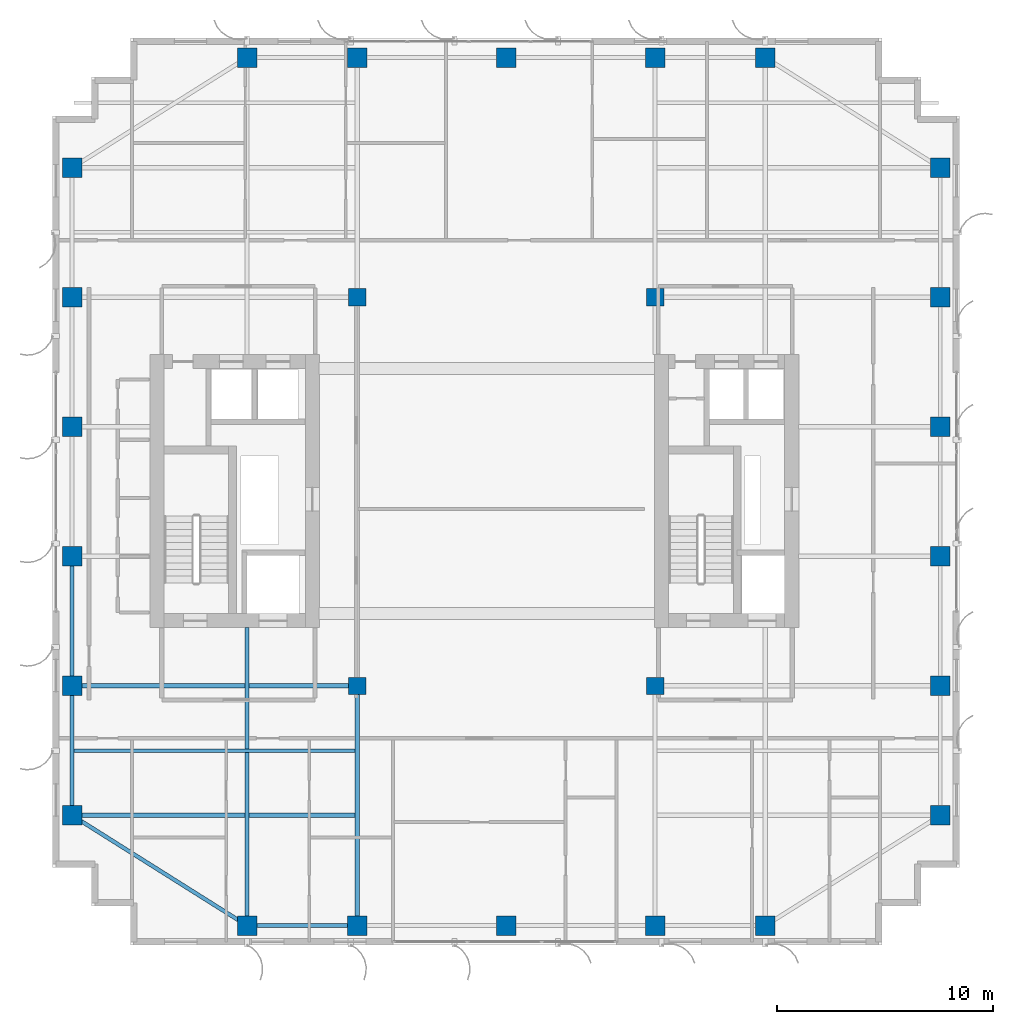
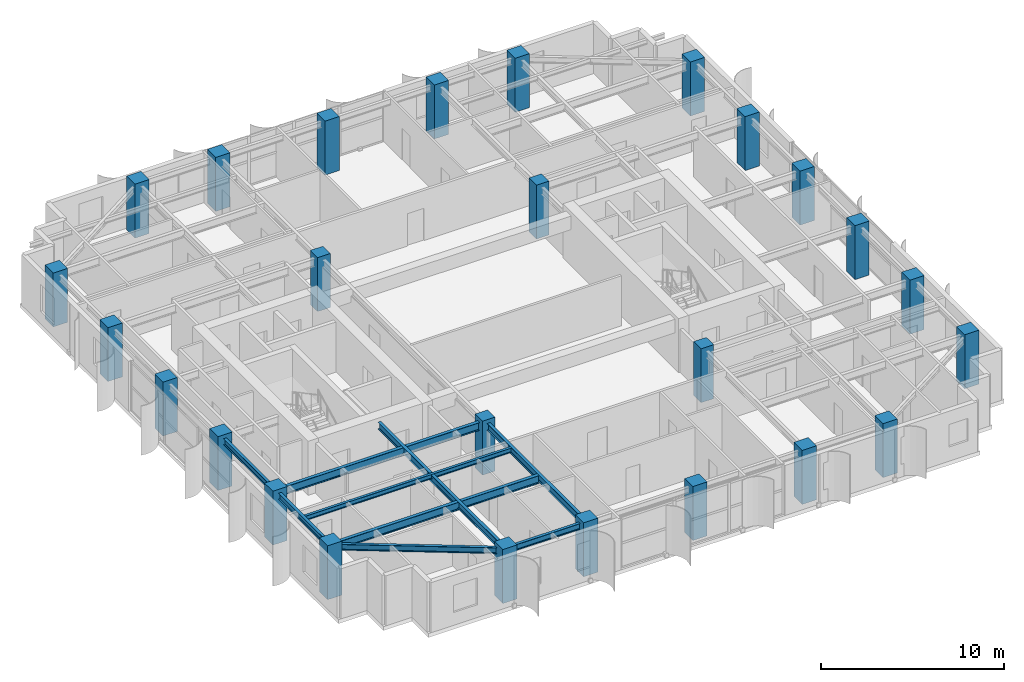
# One storey, part 1 of 22: 26 columns, 9 beams.
"""IFC4 building model written with IfcOpenShell, lengths in metres."""

from ifc_helpers import new_model, si_unit, direction, frame, origin, origin_2d, place, context, subcontext, project, spatial, rectangle, i_section, extrude, source, transform, mapped, material, material_profile, profile_set, type_object, element, save


model = new_model("IFC4")

# Units and contexts
model_context = context("Model", 3, precision=1e-05, world=origin(), true_north=direction((0.0, 1.0)))
body_context = subcontext(model_context, "Body", "Model", "MODEL_VIEW")
ifc_project = project(units=[si_unit("LENGTHUNIT", "METRE"), si_unit("AREAUNIT", "SQUARE_METRE"), si_unit("VOLUMEUNIT", "CUBIC_METRE"), si_unit("PLANEANGLEUNIT", "RADIAN"), si_unit("MASSUNIT", "GRAM", prefix="KILO")], contexts=[model_context])

# Site, building, storey
site_placement = place(None, origin())
site = spatial("IfcSite", under=ifc_project, at=site_placement, CompositionType="ELEMENT")
building_placement = place(site_placement, origin())
building = spatial("IfcBuilding", under=site, at=building_placement, Name="Khoralis Quay Care Tower", CompositionType="ELEMENT")
storey_placement = place(building_placement, frame((0.0, 0.0, 180.89990234375)))
storey = spatial("IfcBuildingStorey", under=building, at=storey_placement, Name="L47", CompositionType="ELEMENT", Elevation=180.89990234375)

# Columns
ifc_material_1 = material(Name="Concrete C65/80", Category="concrete")
ifc_material_profile_1 = material_profile(ifc_material_1, rectangle(XDim=0.89990234375, YDim=0.89990234375, at=origin_2d()), Name="Concrete C65/80")
ifc_profile_set_1 = profile_set([ifc_material_profile_1], Name="Concrete C65/80")
column_type_1 = type_object("IfcColumnType", Name="COL-C900", PredefinedType="COLUMN", material=ifc_profile_set_1)
shared_shape_1 = source(origin(), body_context, "Body", "SweptSolid", [
    extrude(rectangle(XDim=0.89990234375, YDim=0.89990234375, at=origin_2d()), origin(), (0.0, 0.0, 1.0), 3.60009765625),
])
for number, where, z_axis, x_axis, name in (
    (1, (12.0, 0.89990234375, 0.0), (0.0, 0.0, 1.0), (1.0, 0.0, 0.0), "COL-TWR-L47-01"),
    (2, (12.0, 41.10009765625, 0.0), (0.0, 0.0, 1.0), (1.0, 0.0, 0.0), "COL-TWR-L47-02"),
    (3, (17.10009765625, 0.89990234375, 0.0), (0.0, 0.0, 1.0), (1.0, 0.0, 0.0), "COL-TWR-L47-03"),
    (4, (17.10009765625, 41.10009765625, 0.0), (0.0, 0.0, 1.0), (1.0, 0.0, 0.0), "COL-TWR-L47-04"),
    (5, (24.0, 0.89990234375, 0.0), (0.0, 0.0, 1.0), (1.0, 0.0, 0.0), "COL-TWR-L47-05"),
    (6, (24.0, 41.10009765625, 0.0), (0.0, 0.0, 1.0), (1.0, 0.0, 0.0), "COL-TWR-L47-06"),
    (7, (30.89990234375, 0.89990234375, 0.0), (0.0, 0.0, 1.0), (1.0, 0.0, 0.0), "COL-TWR-L47-07"),
    (8, (30.89990234375, 41.10009765625, 0.0), (0.0, 0.0, 1.0), (1.0, 0.0, 0.0), "COL-TWR-L47-08"),
    (9, (36.0, 0.89990234375, 0.0), (0.0, 0.0, 1.0), (1.0, 0.0, 0.0), "COL-TWR-L47-09"),
    (10, (36.0, 41.10009765625, 0.0), (0.0, 0.0, 1.0), (1.0, 0.0, 0.0), "COL-TWR-L47-10"),
    (11, (3.89990234375, 6.0, 0.0), (0.0, 0.0, 1.0), (1.0, 0.0, 0.0), "COL-TWR-L47-11"),
    (12, (44.10009765625, 6.0, 0.0), (0.0, 0.0, 1.0), (1.0, 0.0, 0.0), "COL-TWR-L47-12"),
    (13, (3.89990234375, 12.0, 0.0), (0.0, 0.0, 1.0), (1.0, 0.0, 0.0), "COL-TWR-L47-13"),
    (14, (44.10009765625, 12.0, 0.0), (0.0, 0.0, 1.0), (1.0, 0.0, 0.0), "COL-TWR-L47-14"),
    (15, (3.89990234375, 18.0, 0.0), (0.0, 0.0, 1.0), (1.0, 0.0, 0.0), "COL-TWR-L47-15"),
    (16, (44.10009765625, 18.0, 0.0), (0.0, 0.0, 1.0), (1.0, 0.0, 0.0), "COL-TWR-L47-16"),
    (17, (3.89990234375, 24.0, 0.0), (0.0, 0.0, 1.0), (1.0, 0.0, 0.0), "COL-TWR-L47-17"),
    (18, (44.10009765625, 24.0, 0.0), (0.0, 0.0, 1.0), (1.0, 0.0, 0.0), "COL-TWR-L47-18"),
    (19, (3.89990234375, 30.0, 0.0), (0.0, 0.0, 1.0), (1.0, 0.0, 0.0), "COL-TWR-L47-19"),
    (20, (44.10009765625, 30.0, 0.0), (0.0, 0.0, 1.0), (1.0, 0.0, 0.0), "COL-TWR-L47-20"),
    (21, (3.89990234375, 36.0, 0.0), (0.0, 0.0, 1.0), (1.0, 0.0, 0.0), "COL-TWR-L47-21"),
    (22, (44.10009765625, 36.0, 0.0), (0.0, 0.0, 1.0), (1.0, 0.0, 0.0), "COL-TWR-L47-22"),
):
    element("IfcColumn", number, at=place(storey_placement, frame(where, z_axis=z_axis, x_axis=x_axis)), inside=storey, type_object=column_type_1, Name=name, PredefinedType="COLUMN", context=body_context, shape_type="MappedRepresentation", body=[
        mapped(shared_shape_1, transform((0.0, 0.0, 0.0), scale=1.0)),
    ])
ifc_material_2 = material(Name="Concrete C50/60", Category="concrete")
ifc_material_profile_2 = material_profile(ifc_material_2, rectangle(XDim=0.800048828125, YDim=0.800048828125, at=origin_2d()), Name="Concrete C50/60")
ifc_profile_set_2 = profile_set([ifc_material_profile_2], Name="Concrete C50/60")
column_type_2 = type_object("IfcColumnType", Name="COL-C800", PredefinedType="COLUMN", material=ifc_profile_set_2)
shared_shape_2 = source(origin(), body_context, "Body", "SweptSolid", [
    extrude(rectangle(XDim=0.800048828125, YDim=0.800048828125, at=origin_2d()), origin(), (0.0, 0.0, 1.0), 3.60009765625),
])
for number, where, z_axis, x_axis, name in (
    (23, (17.10009765625, 12.0, 0.0), (0.0, 0.0, 1.0), (1.0, 0.0, 0.0), "COL-TWR-L47-23"),
    (24, (17.10009765625, 30.0, 0.0), (0.0, 0.0, 1.0), (1.0, 0.0, 0.0), "COL-TWR-L47-24"),
    (25, (30.89990234375, 12.0, 0.0), (0.0, 0.0, 1.0), (1.0, 0.0, 0.0), "COL-TWR-L47-25"),
    (26, (30.89990234375, 30.0, 0.0), (0.0, 0.0, 1.0), (1.0, 0.0, 0.0), "COL-TWR-L47-26"),
):
    element("IfcColumn", number, at=place(storey_placement, frame(where, z_axis=z_axis, x_axis=x_axis)), inside=storey, type_object=column_type_2, Name=name, PredefinedType="COLUMN", context=body_context, shape_type="MappedRepresentation", body=[
        mapped(shared_shape_2, transform((0.0, 0.0, 0.0), scale=1.0)),
    ])

# Beams
ifc_material_3 = material(Name="Steel S355", Category="steel")
ifc_material_profile_3 = material_profile(ifc_material_3, i_section(OverallWidth=0.179931640625, OverallDepth=0.39990234375, WebThickness=0.008544921875, FlangeThickness=0.013427734375, FilletRadius=0.02099609375, at=origin_2d()), Name="Steel S355")
ifc_profile_set_3 = profile_set([ifc_material_profile_3], Name="Steel S355")
beam_type_1 = type_object("IfcBeamType", Name="BM-IPE400", PredefinedType="SPANDREL", material=ifc_profile_set_3)
shared_shape_3 = source(origin(), body_context, "Body", "SweptSolid", [
    extrude(i_section(OverallWidth=0.179931640625, OverallDepth=0.39990234375, WebThickness=0.008544921875, FlangeThickness=0.013427734375, FilletRadius=0.02099609375, at=origin_2d()), origin(), (0.0, 0.0, 1.0), 6.0),
])
for number, where, z_axis, x_axis, name in (
    (27, (3.89990234375, 6.0, 3.14013671875), (0.0, 1.0, 0.0), (-1.0, 0.0, 0.0), "BM-TSP-L47-09"),
    (28, (3.89990234375, 12.0, 3.14013671875), (0.0, 1.0, 0.0), (-1.0, 0.0, 0.0), "BM-TSP-L47-10"),
):
    element("IfcBeam", number, at=place(storey_placement, frame(where, z_axis=z_axis, x_axis=x_axis)), inside=storey, type_object=beam_type_1, Name=name, PredefinedType="SPANDREL", context=body_context, shape_type="MappedRepresentation", body=[
        mapped(shared_shape_3, transform((0.0, 0.0, 0.0), scale=1.0)),
    ])
shared_shape_4 = source(origin(), body_context, "Body", "SweptSolid", [
    extrude(i_section(OverallWidth=0.179931640625, OverallDepth=0.39990234375, WebThickness=0.008544921875, FlangeThickness=0.013427734375, FilletRadius=0.02099609375, at=origin_2d()), origin(), (0.0, 0.0, 1.0), 5.10009765625),
])
beam_1_placement = place(storey_placement, frame((12.0, 0.89990234375, 3.14013671875), z_axis=(1.0, 0.0, 0.0), x_axis=(0.0, 1.0, 0.0)))
element("IfcBeam", 29, at=beam_1_placement, inside=storey, type_object=beam_type_1, Name="BM-TSP-L47-01", PredefinedType="SPANDREL", context=body_context, shape_type="MappedRepresentation", body=[
    mapped(shared_shape_4, transform((0.0, 0.0, 0.0), scale=1.0)),
])
shared_shape_5 = source(origin(), body_context, "Body", "SweptSolid", [
    extrude(i_section(OverallWidth=0.179931640625, OverallDepth=0.39990234375, WebThickness=0.008544921875, FlangeThickness=0.013427734375, FilletRadius=0.02099609375, at=origin_2d()), origin(), (0.0, 0.0, 1.0), 9.572021484375),
])
beam_2_placement = place(storey_placement, frame((12.0, 0.89990234375, 3.14013671875), z_axis=(-0.846231136359, 0.532815975602, 0.0), x_axis=(-0.532815975602, -0.846231136359, 0.0)))
element("IfcBeam", 30, at=beam_2_placement, inside=storey, type_object=beam_type_1, Name="BM-TCR-L47-19", PredefinedType="SPANDREL", context=body_context, shape_type="MappedRepresentation", body=[
    mapped(shared_shape_5, transform((0.0, 0.0, 0.0), scale=1.0)),
])
ifc_material_profile_4 = material_profile(ifc_material_3, i_section(OverallWidth=0.208984375, OverallDepth=0.532958984375, WebThickness=0.01025390625, FlangeThickness=0.015625, FilletRadius=0.01611328125, at=origin_2d()), Name="Steel S355")
ifc_profile_set_4 = profile_set([ifc_material_profile_4], Name="Steel S355")
beam_type_2 = type_object("IfcBeamType", Name="BM-W530X92", PredefinedType="BEAM", material=ifc_profile_set_4)
shared_shape_6 = source(origin(), body_context, "Body", "SweptSolid", [
    extrude(i_section(OverallWidth=0.208984375, OverallDepth=0.532958984375, WebThickness=0.01025390625, FlangeThickness=0.015625, FilletRadius=0.01611328125, at=origin_2d()), origin(), (0.0, 0.0, 1.0), 13.1162109375),
])
beam_3_placement = place(storey_placement, frame((3.89990234375, 6.0, 3.073486328125), z_axis=(1.0, 0.0, 0.0), x_axis=(0.0, 1.0, 0.0)))
element("IfcBeam", 31, at=beam_3_placement, inside=storey, type_object=beam_type_2, Name="BM-TGXW-L47-60", PredefinedType="BEAM", context=body_context, shape_type="MappedRepresentation", body=[
    mapped(shared_shape_6, transform((0.0, 0.0, 0.0), scale=1.0)),
])
shared_shape_7 = source(origin(), body_context, "Body", "SweptSolid", [
    extrude(i_section(OverallWidth=0.208984375, OverallDepth=0.532958984375, WebThickness=0.01025390625, FlangeThickness=0.015625, FilletRadius=0.01611328125, at=origin_2d()), origin(), (0.0, 0.0, 1.0), 13.2001953125),
])
beam_4_placement = place(storey_placement, frame((3.89990234375, 12.0, 3.073486328125), z_axis=(1.0, 0.0, 0.0), x_axis=(0.0, 1.0, 0.0)))
element("IfcBeam", 32, at=beam_4_placement, inside=storey, type_object=beam_type_2, Name="BM-TGXW-L47-120", PredefinedType="BEAM", context=body_context, shape_type="MappedRepresentation", body=[
    mapped(shared_shape_7, transform((0.0, 0.0, 0.0), scale=1.0)),
])
ifc_material_profile_5 = material_profile(ifc_material_3, i_section(OverallWidth=0.19189453125, OverallDepth=0.462890625, WebThickness=0.010498046875, FlangeThickness=0.017578125, FilletRadius=0.014892578125, at=origin_2d()), Name="Steel S355")
ifc_profile_set_5 = profile_set([ifc_material_profile_5], Name="Steel S355")
beam_type_3 = type_object("IfcBeamType", Name="BM-W460X89", PredefinedType="BEAM", material=ifc_profile_set_5)
shared_shape_8 = source(origin(), body_context, "Body", "SweptSolid", [
    extrude(i_section(OverallWidth=0.19189453125, OverallDepth=0.462890625, WebThickness=0.010498046875, FlangeThickness=0.017578125, FilletRadius=0.014892578125, at=origin_2d()), origin(), (0.0, 0.0, 1.0), 13.802001953125),
])
beam_5_placement = place(storey_placement, frame((12.0, 0.89990234375, 3.108642578125), z_axis=(0.0, 1.0, 0.0), x_axis=(-1.0, 0.0, 0.0)))
element("IfcBeam", 33, at=beam_5_placement, inside=storey, type_object=beam_type_3, Name="BM-TGYS-L47-120", PredefinedType="BEAM", context=body_context, shape_type="MappedRepresentation", body=[
    mapped(shared_shape_8, transform((0.0, 0.0, 0.0), scale=1.0)),
])
shared_shape_9 = source(origin(), body_context, "Body", "SweptSolid", [
    extrude(i_section(OverallWidth=0.19189453125, OverallDepth=0.462890625, WebThickness=0.010498046875, FlangeThickness=0.017578125, FilletRadius=0.014892578125, at=origin_2d()), origin(), (0.0, 0.0, 1.0), 11.10009765625),
])
beam_6_placement = place(storey_placement, frame((17.10009765625, 0.89990234375, 3.108642578125), z_axis=(0.0, 1.0, 0.0), x_axis=(-1.0, 0.0, 0.0)))
element("IfcBeam", 34, at=beam_6_placement, inside=storey, type_object=beam_type_3, Name="BM-TGYS-L47-171", PredefinedType="BEAM", context=body_context, shape_type="MappedRepresentation", body=[
    mapped(shared_shape_9, transform((0.0, 0.0, 0.0), scale=1.0)),
])
ifc_material_profile_6 = material_profile(ifc_material_3, i_section(OverallWidth=0.1650390625, OverallDepth=0.31005859375, WebThickness=0.005859375, FlangeThickness=0.009765625, FilletRadius=0.011962890625, at=origin_2d()), Name="Steel S355")
ifc_profile_set_6 = profile_set([ifc_material_profile_6], Name="Steel S355")
beam_type_4 = type_object("IfcBeamType", Name="BM-W310X39", PredefinedType="JOIST", material=ifc_profile_set_6)
shared_shape_10 = source(origin(), body_context, "Body", "SweptSolid", [
    extrude(i_section(OverallWidth=0.1650390625, OverallDepth=0.31005859375, WebThickness=0.005859375, FlangeThickness=0.009765625, FilletRadius=0.011962890625, at=origin_2d()), origin(), (0.0, 0.0, 1.0), 13.0400390625),
])
beam_7_placement = place(storey_placement, frame((3.97607421875, 9.0, 3.18505859375), z_axis=(1.0, 0.0, 0.0), x_axis=(0.0, 1.0, 0.0)))
element("IfcBeam", 35, at=beam_7_placement, inside=storey, type_object=beam_type_4, Name="BM-TJS-L47-23", PredefinedType="JOIST", context=body_context, shape_type="MappedRepresentation", body=[
    mapped(shared_shape_10, transform((0.0, 0.0, 0.0), scale=1.0)),
])

save(model, "model.ifc")
